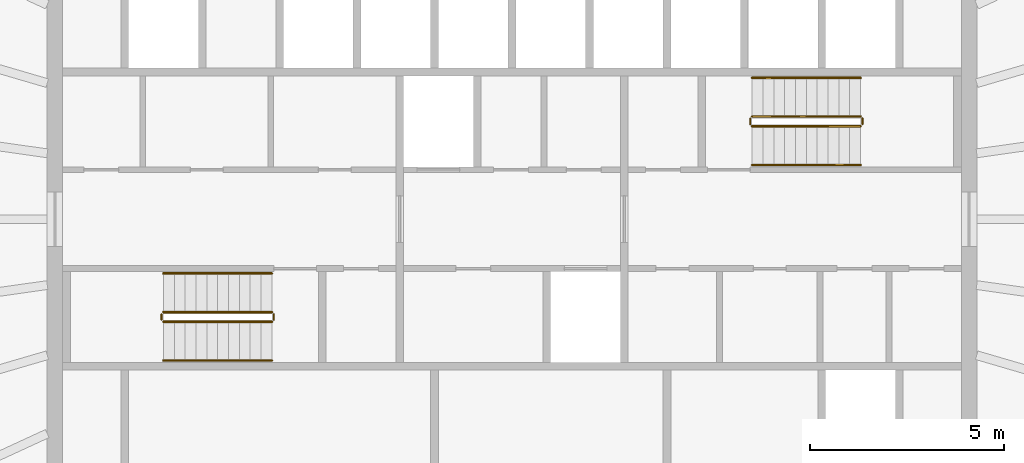
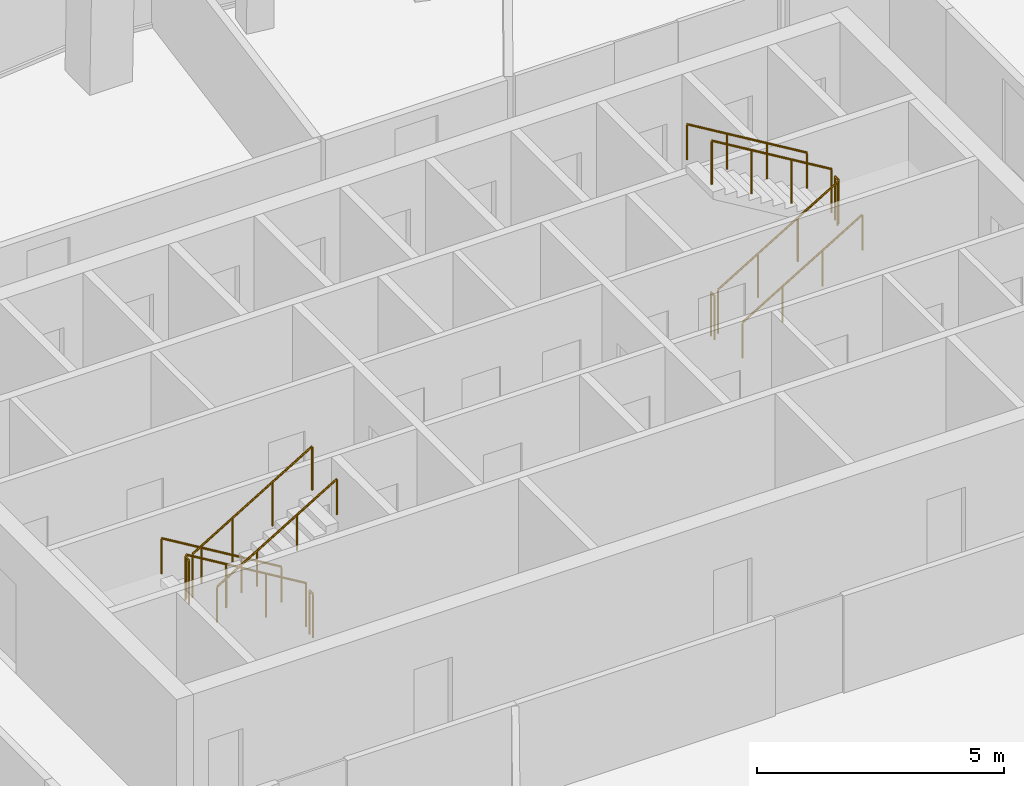
# One storey, part 11 of 11: 12 railings.
"""IFC4 building model written with IfcOpenShell, lengths in metres."""

from ifc_helpers import new_model, si_unit, direction, frame, origin, origin_2d, place, context, subcontext, project, spatial, circle, extrude, material, type_object, element, save


model = new_model("IFC4")

# Units and contexts
model_context = context("Model", 3, precision=1e-05, world=origin(), true_north=direction((0.0, 1.0)))
body_context = subcontext(model_context, "Body", "Model", "MODEL_VIEW")
ifc_project = project(units=[si_unit("LENGTHUNIT", "METRE"), si_unit("AREAUNIT", "SQUARE_METRE"), si_unit("VOLUMEUNIT", "CUBIC_METRE"), si_unit("PLANEANGLEUNIT", "RADIAN"), si_unit("MASSUNIT", "GRAM", prefix="KILO")], contexts=[model_context])

# Site, building, storey
site_placement = place(None, origin())
site = spatial("IfcSite", under=ifc_project, at=site_placement, CompositionType="ELEMENT")
building_placement = place(site_placement, origin())
building = spatial("IfcBuilding", under=site, at=building_placement, Name="Siaravel Broadcast Tower", CompositionType="ELEMENT")
storey_placement = place(building_placement, frame((0.0, 0.0, 224.5)))
storey = spatial("IfcBuildingStorey", under=building, at=storey_placement, Name="L54", CompositionType="ELEMENT", Elevation=224.5)

# Railings
ifc_material = material(Name="Stainless steel 316L", Category="steel")
railing_type_1 = type_object("IfcRailingType", Name="Stair guard 1100", PredefinedType="GUARDRAIL", material=ifc_material)
railing_1_placement = place(storey_placement, frame((-6.199951171875, -2.39990234375, 0.168212890625)))
element("IfcRailing", 1, at=railing_1_placement, inside=storey, type_object=railing_type_1, Name="L54 ST-1 stair guard 1", PredefinedType="GUARDRAIL", context=body_context, shape_type="SweptSolid", body=[
    extrude(circle(Radius=0.02392578125, at=origin_2d()), frame((0.0, 0.0, 1.076171875), z_axis=(-0.857242211, 0.0, 0.514913383), x_axis=(0.0, -1.0, 0.0)), (0.0, 0.0, 1.0), 3.266357421875),
    extrude(circle(Radius=0.02099609375, at=origin_2d()), origin(), (0.0, 0.0, 1.0), 1.052001953125),
    extrude(circle(Radius=0.02099609375, at=origin_2d()), frame((-0.933349609375, 0.0, 0.560546875)), (0.0, 0.0, 1.0), 1.052001953125),
    extrude(circle(Radius=0.02099609375, at=origin_2d()), frame((-1.86669921875, 0.0, 1.121337890625)), (0.0, 0.0, 1.0), 1.052001953125),
    extrude(circle(Radius=0.02099609375, at=origin_2d()), frame((-2.800048828125, 0.0, 1.681884765625)), (0.0, 0.0, 1.0), 1.052001953125),
])
railing_2_placement = place(storey_placement, frame((-9.050048828125, -2.449951171875, 1.85009765625)))
element("IfcRailing", 2, at=railing_2_placement, inside=storey, type_object=railing_type_1, Name="L54 ST-1 stair guard 2", PredefinedType="GUARDRAIL", context=body_context, shape_type="SweptSolid", body=[
    extrude(circle(Radius=0.02392578125, at=origin_2d()), frame((0.0, 0.0, 1.076171875), z_axis=(0.0, -1.0, 0.0), x_axis=(1.0, 0.0, 0.0)), (0.0, 0.0, 1.0), 0.150146484375),
    extrude(circle(Radius=0.02099609375, at=origin_2d()), origin(), (0.0, 0.0, 1.0), 1.052001953125),
    extrude(circle(Radius=0.02099609375, at=origin_2d()), frame((0.0, -0.150146484375, 0.0)), (0.0, 0.0, 1.0), 1.052001953125),
])
railing_3_placement = place(storey_placement, frame((-9.0, -2.64990234375, 2.01806640625)))
element("IfcRailing", 3, at=railing_3_placement, inside=storey, type_object=railing_type_1, Name="L54 ST-1 stair guard 3", PredefinedType="GUARDRAIL", context=body_context, shape_type="SweptSolid", body=[
    extrude(circle(Radius=0.02392578125, at=origin_2d()), frame((0.0, 0.0, 1.076171875), z_axis=(0.857242211, 0.0, 0.514913383), x_axis=(0.0, 1.0, 0.0)), (0.0, 0.0, 1.0), 3.266357421875),
    extrude(circle(Radius=0.02099609375, at=origin_2d()), origin(), (0.0, 0.0, 1.0), 1.052001953125),
    extrude(circle(Radius=0.02099609375, at=origin_2d()), frame((0.933349609375, 0.0, 0.560546875)), (0.0, 0.0, 1.0), 1.052001953125),
    extrude(circle(Radius=0.02099609375, at=origin_2d()), frame((1.86669921875, 0.0, 1.121337890625)), (0.0, 0.0, 1.0), 1.052001953125),
    extrude(circle(Radius=0.02099609375, at=origin_2d()), frame((2.800048828125, 0.0, 1.681884765625)), (0.0, 0.0, 1.0), 1.052001953125),
])
railing_4_placement = place(storey_placement, frame((-6.14990234375, -2.449951171875, 0.0)))
element("IfcRailing", 4, at=railing_4_placement, inside=storey, type_object=railing_type_1, Name="L54 ST-1 stair guard 4", PredefinedType="GUARDRAIL", context=body_context, shape_type="SweptSolid", body=[
    extrude(circle(Radius=0.02392578125, at=origin_2d()), frame((0.0, 0.0, 1.076171875), z_axis=(0.0, -1.0, 0.0), x_axis=(1.0, 0.0, 0.0)), (0.0, 0.0, 1.0), 0.150146484375),
    extrude(circle(Radius=0.02099609375, at=origin_2d()), origin(), (0.0, 0.0, 1.0), 1.052001953125),
    extrude(circle(Radius=0.02099609375, at=origin_2d()), frame((0.0, -0.150146484375, 0.0)), (0.0, 0.0, 1.0), 1.052001953125),
])
railing_5_placement = place(storey_placement, frame((6.199951171875, 2.39990234375, 0.168212890625)))
element("IfcRailing", 5, at=railing_5_placement, inside=storey, type_object=railing_type_1, Name="L54 ST-2 stair guard 1", PredefinedType="GUARDRAIL", context=body_context, shape_type="SweptSolid", body=[
    extrude(circle(Radius=0.02392578125, at=origin_2d()), frame((0.0, 0.0, 1.076171875), z_axis=(0.857242211, 0.0, 0.514913383), x_axis=(0.0, 1.0, 0.0)), (0.0, 0.0, 1.0), 3.266357421875),
    extrude(circle(Radius=0.02099609375, at=origin_2d()), origin(), (0.0, 0.0, 1.0), 1.052001953125),
    extrude(circle(Radius=0.02099609375, at=origin_2d()), frame((0.933349609375, 0.0, 0.560546875)), (0.0, 0.0, 1.0), 1.052001953125),
    extrude(circle(Radius=0.02099609375, at=origin_2d()), frame((1.86669921875, 0.0, 1.121337890625)), (0.0, 0.0, 1.0), 1.052001953125),
    extrude(circle(Radius=0.02099609375, at=origin_2d()), frame((2.800048828125, 0.0, 1.681884765625)), (0.0, 0.0, 1.0), 1.052001953125),
])
railing_6_placement = place(storey_placement, frame((9.050048828125, 2.449951171875, 1.85009765625)))
element("IfcRailing", 6, at=railing_6_placement, inside=storey, type_object=railing_type_1, Name="L54 ST-2 stair guard 2", PredefinedType="GUARDRAIL", context=body_context, shape_type="SweptSolid", body=[
    extrude(circle(Radius=0.02392578125, at=origin_2d()), frame((0.0, 0.0, 1.076171875), z_axis=(0.0, 1.0, 0.0), x_axis=(-1.0, 0.0, 0.0)), (0.0, 0.0, 1.0), 0.150146484375),
    extrude(circle(Radius=0.02099609375, at=origin_2d()), origin(), (0.0, 0.0, 1.0), 1.052001953125),
    extrude(circle(Radius=0.02099609375, at=origin_2d()), frame((0.0, 0.150146484375, 0.0)), (0.0, 0.0, 1.0), 1.052001953125),
])
railing_7_placement = place(storey_placement, frame((9.0, 2.64990234375, 2.01806640625)))
element("IfcRailing", 7, at=railing_7_placement, inside=storey, type_object=railing_type_1, Name="L54 ST-2 stair guard 3", PredefinedType="GUARDRAIL", context=body_context, shape_type="SweptSolid", body=[
    extrude(circle(Radius=0.02392578125, at=origin_2d()), frame((0.0, 0.0, 1.076171875), z_axis=(-0.857242211, 0.0, 0.514913383), x_axis=(0.0, -1.0, 0.0)), (0.0, 0.0, 1.0), 3.266357421875),
    extrude(circle(Radius=0.02099609375, at=origin_2d()), origin(), (0.0, 0.0, 1.0), 1.052001953125),
    extrude(circle(Radius=0.02099609375, at=origin_2d()), frame((-0.933349609375, 0.0, 0.560546875)), (0.0, 0.0, 1.0), 1.052001953125),
    extrude(circle(Radius=0.02099609375, at=origin_2d()), frame((-1.86669921875, 0.0, 1.121337890625)), (0.0, 0.0, 1.0), 1.052001953125),
    extrude(circle(Radius=0.02099609375, at=origin_2d()), frame((-2.800048828125, 0.0, 1.681884765625)), (0.0, 0.0, 1.0), 1.052001953125),
])
railing_8_placement = place(storey_placement, frame((6.14990234375, 2.449951171875, 0.0)))
element("IfcRailing", 8, at=railing_8_placement, inside=storey, type_object=railing_type_1, Name="L54 ST-2 stair guard 4", PredefinedType="GUARDRAIL", context=body_context, shape_type="SweptSolid", body=[
    extrude(circle(Radius=0.02392578125, at=origin_2d()), frame((0.0, 0.0, 1.076171875), z_axis=(0.0, 1.0, 0.0), x_axis=(-1.0, 0.0, 0.0)), (0.0, 0.0, 1.0), 0.150146484375),
    extrude(circle(Radius=0.02099609375, at=origin_2d()), origin(), (0.0, 0.0, 1.0), 1.052001953125),
    extrude(circle(Radius=0.02099609375, at=origin_2d()), frame((0.0, 0.150146484375, 0.0)), (0.0, 0.0, 1.0), 1.052001953125),
])
railing_type_2 = type_object("IfcRailingType", Name="Stair handrail 900", PredefinedType="HANDRAIL", material=ifc_material)
railing_9_placement = place(storey_placement, frame((-6.199951171875, -1.39990234375, 0.168212890625)))
element("IfcRailing", 9, at=railing_9_placement, inside=storey, type_object=railing_type_2, Name="L54 ST-1 stair handrail 1", PredefinedType="HANDRAIL", context=body_context, shape_type="SweptSolid", body=[
    extrude(circle(Radius=0.02392578125, at=origin_2d()), frame((0.0, 0.0, 0.8759765625), z_axis=(-0.857242211, 0.0, 0.514913383), x_axis=(0.0, -1.0, 0.0)), (0.0, 0.0, 1.0), 3.266357421875),
    extrude(circle(Radius=0.02099609375, at=origin_2d()), origin(), (0.0, 0.0, 1.0), 0.851806640625),
    extrude(circle(Radius=0.02099609375, at=origin_2d()), frame((-0.933349609375, 0.0, 0.560546875)), (0.0, 0.0, 1.0), 0.851806640625),
    extrude(circle(Radius=0.02099609375, at=origin_2d()), frame((-1.86669921875, 0.0, 1.121337890625)), (0.0, 0.0, 1.0), 0.851806640625),
    extrude(circle(Radius=0.02099609375, at=origin_2d()), frame((-2.800048828125, 0.0, 1.681884765625)), (0.0, 0.0, 1.0), 0.851806640625),
])
for number, where, name in (
    (10, (-9.0, -3.64990234375, 2.01806640625), "L54 ST-1 stair handrail 2"),
    (11, (6.199951171875, 1.39990234375, 0.168212890625), "L54 ST-2 stair handrail 1"),
):
    element("IfcRailing", number, at=place(storey_placement, frame(where)), inside=storey, type_object=railing_type_2, Name=name, PredefinedType="HANDRAIL", context=body_context, shape_type="SweptSolid", body=[
        extrude(circle(Radius=0.02392578125, at=origin_2d()), frame((0.0, 0.0, 0.8759765625), z_axis=(0.857242211, 0.0, 0.514913383), x_axis=(0.0, 1.0, 0.0)), (0.0, 0.0, 1.0), 3.266357421875),
        extrude(circle(Radius=0.02099609375, at=origin_2d()), origin(), (0.0, 0.0, 1.0), 0.851806640625),
        extrude(circle(Radius=0.02099609375, at=origin_2d()), frame((0.933349609375, 0.0, 0.560546875)), (0.0, 0.0, 1.0), 0.851806640625),
        extrude(circle(Radius=0.02099609375, at=origin_2d()), frame((1.86669921875, 0.0, 1.121337890625)), (0.0, 0.0, 1.0), 0.851806640625),
        extrude(circle(Radius=0.02099609375, at=origin_2d()), frame((2.800048828125, 0.0, 1.681884765625)), (0.0, 0.0, 1.0), 0.851806640625),
    ])
railing_10_placement = place(storey_placement, frame((9.0, 3.64990234375, 2.01806640625)))
element("IfcRailing", 12, at=railing_10_placement, inside=storey, type_object=railing_type_2, Name="L54 ST-2 stair handrail 2", PredefinedType="HANDRAIL", context=body_context, shape_type="SweptSolid", body=[
    extrude(circle(Radius=0.02392578125, at=origin_2d()), frame((0.0, 0.0, 0.8759765625), z_axis=(-0.857242211, 0.0, 0.514913383), x_axis=(0.0, -1.0, 0.0)), (0.0, 0.0, 1.0), 3.266357421875),
    extrude(circle(Radius=0.02099609375, at=origin_2d()), origin(), (0.0, 0.0, 1.0), 0.851806640625),
    extrude(circle(Radius=0.02099609375, at=origin_2d()), frame((-0.933349609375, 0.0, 0.560546875)), (0.0, 0.0, 1.0), 0.851806640625),
    extrude(circle(Radius=0.02099609375, at=origin_2d()), frame((-1.86669921875, 0.0, 1.121337890625)), (0.0, 0.0, 1.0), 0.851806640625),
    extrude(circle(Radius=0.02099609375, at=origin_2d()), frame((-2.800048828125, 0.0, 1.681884765625)), (0.0, 0.0, 1.0), 0.851806640625),
])

save(model, "model.ifc")
